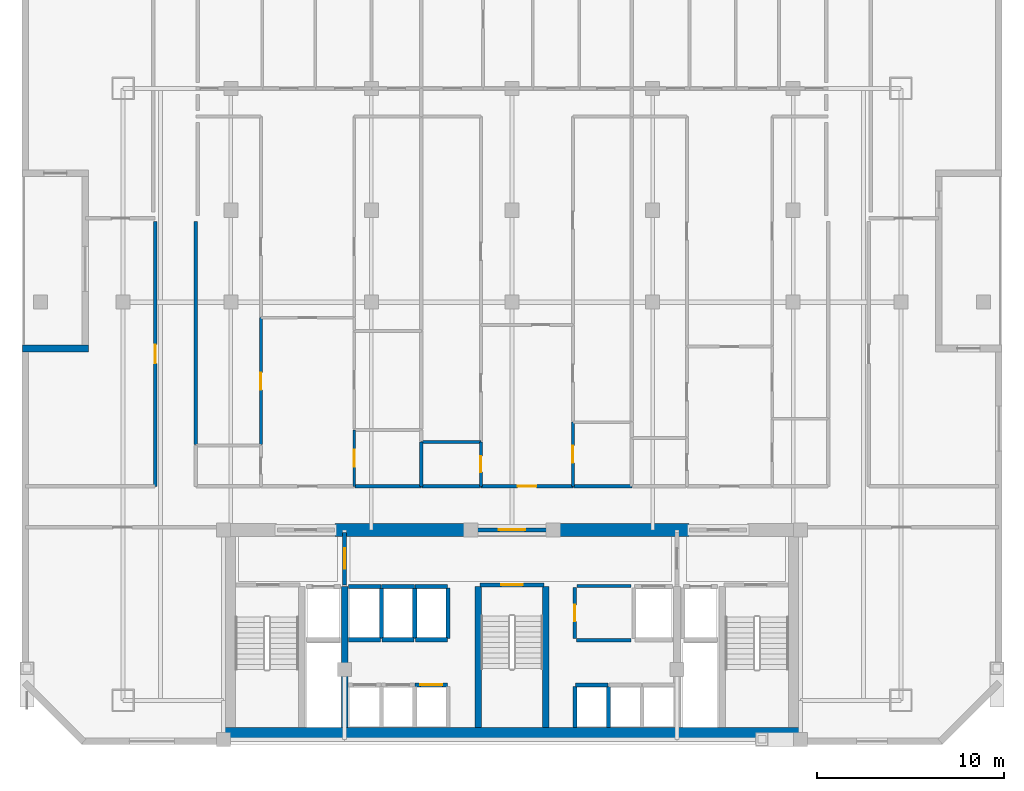
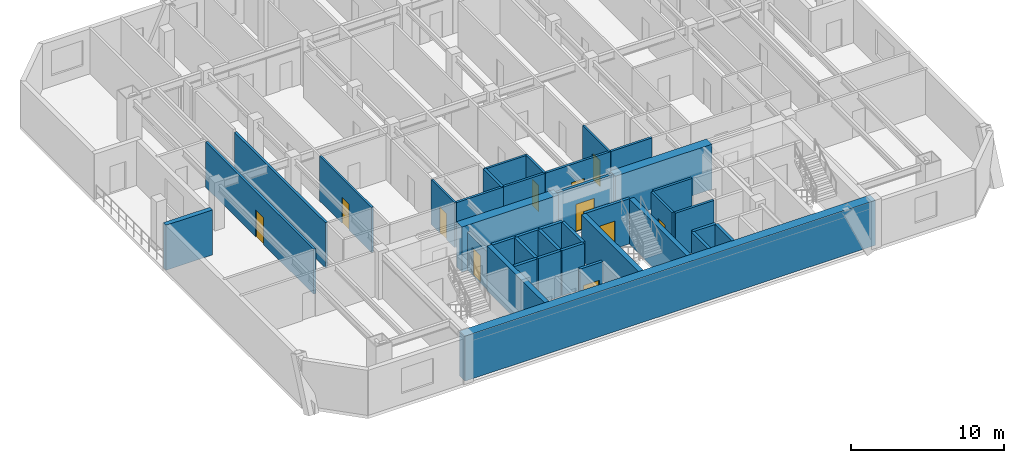
# One storey, part 3 of 10: 38 walls, 11 doors, 11 openings.
"""IFC4 building model written with IfcOpenShell, lengths in metres."""

from ifc_helpers import new_model, si_unit, direction, frame, frame_2d, origin, place, context, subcontext, project, spatial, rectangle, extrude, material, layer, layer_set, type_object, element, fill, save


model = new_model("IFC4")

# Units and contexts
model_context = context("Model", 3, precision=1e-05, world=origin(), true_north=direction((0.0, 1.0)))
body_context = subcontext(model_context, "Body", "Model", "MODEL_VIEW")
ifc_project = project(units=[si_unit("LENGTHUNIT", "METRE"), si_unit("AREAUNIT", "SQUARE_METRE"), si_unit("VOLUMEUNIT", "CUBIC_METRE"), si_unit("PLANEANGLEUNIT", "RADIAN"), si_unit("MASSUNIT", "GRAM", prefix="KILO")], contexts=[model_context])

# Site, building, storey
site_placement = place(None, origin())
site = spatial("IfcSite", under=ifc_project, at=site_placement, CompositionType="ELEMENT")
building_placement = place(site_placement, origin())
building = spatial("IfcBuilding", under=site, at=building_placement, Name="Ventersveld Concourse Tower", CompositionType="ELEMENT")
storey_placement = place(building_placement, frame((0.0, 0.0, 123.39990234375)))
storey = spatial("IfcBuildingStorey", under=building, at=storey_placement, Name="L30", CompositionType="ELEMENT", Elevation=123.39990234375)

# Walls
ifc_material_1 = material(Name="Concrete C60/75", Category="concrete")
ifc_layer_1 = layer(ifc_material_1, 0.35009765625)
ifc_layer_set_1 = layer_set([ifc_layer_1], Name="Concrete C60/75")
wall_type_1 = type_object("IfcWallType", Name="WL-CORE-350L", PredefinedType="SHEAR", material=ifc_layer_set_1)
for number, where, z_axis, x_axis, name in (
    (1, (19.820068359375, 0.919921875, 0.0), (0.0, 0.0, 1.0), (0.0, 1.0, 0.0), "L30 Core Internal Shear Web W-FF1-E"),
    (2, (26.93994140625, 0.919921875, 0.0), (0.0, 0.0, 1.0), (0.0, 1.0, 0.0), "L30 Core Internal Shear Web W-ST3-W"),
    (3, (30.56005859375, 0.919921875, 0.0), (0.0, 0.0, 1.0), (0.0, 1.0, 0.0), "L30 Core Internal Shear Web W-ST3-E"),
):
    element("IfcWall", number, at=place(storey_placement, frame(where, z_axis=z_axis, x_axis=x_axis)), inside=storey, type_object=wall_type_1, Name=name, PredefinedType="SHEAR", context=body_context, shape_type="SweptSolid", body=[
        extrude(rectangle(XDim=7.5, YDim=0.35009765625, at=frame_2d((3.75, 0.0))), origin(), (0.0, 0.0, 1.0), 3.60009765625),
    ])
ifc_layer_2 = layer(ifc_material_1, 0.699951171875)
ifc_layer_set_2 = layer_set([ifc_layer_2], Name="Concrete C60/75")
wall_type_2 = type_object("IfcWallType", Name="WL-CORE-700", PredefinedType="SHEAR", material=ifc_layer_set_2)
wall_1_placement = place(storey_placement, frame((13.25, 0.570068359375, 0.0), z_axis=(0.0, 0.0, 1.0), x_axis=(1.0, 0.0, 0.0)))
element("IfcWall", 4, at=wall_1_placement, inside=storey, type_object=wall_type_2, Name="L30 Rear Core South Shear Wall", PredefinedType="SHEAR", context=body_context, shape_type="SweptSolid", body=[
    extrude(rectangle(XDim=31.0, YDim=0.699951171875, at=frame_2d((15.5, 0.0))), origin(), (0.0, 0.0, 1.0), 3.60009765625),
])
for number, where, z_axis, x_axis, name in (
    (5, (19.300048828125, 11.449951171875, 0.0), (0.0, 0.0, 1.0), (1.0, 0.0, 0.0), "L30 Rear Core North Shear Wall NML"),
    (6, (30.89990234375, 11.449951171875, 0.0), (0.0, 0.0, 1.0), (1.0, 0.0, 0.0), "L30 Rear Core North Shear Wall NMR"),
):
    element("IfcWall", number, at=place(storey_placement, frame(where, z_axis=z_axis, x_axis=x_axis)), inside=storey, type_object=wall_type_2, Name=name, PredefinedType="SHEAR", context=body_context, shape_type="SweptSolid", body=[
        extrude(rectangle(XDim=7.300048828125, YDim=0.699951171875, at=frame_2d((3.64990234375, 0.0))), origin(), (0.0, 0.0, 1.0), 3.60009765625),
    ])

# Wall, opening, door
ifc_material_2 = material(Name="Fire-rated autoclaved aerated masonry blockwork", Category="masonry")
ifc_layer_3 = layer(ifc_material_2, 0.179931640625)
ifc_layer_set_3 = layer_set([ifc_layer_3], Name="Fire-rated autoclaved aerated masonry blockwork")
wall_type_3 = type_object("IfcWallType", Name="WL-CORR-180", PredefinedType="PARTITIONING", material=ifc_layer_set_3)
wall_2_placement = place(storey_placement, frame((32.10009765625, 5.64990234375, 0.0), z_axis=(0.0, 0.0, 1.0), x_axis=(0.0, 1.0, 0.0)))
wall_2 = element("IfcWall", 7, at=wall_2_placement, inside=storey, type_object=wall_type_3, Name="L30 Core Passage Wall SP-L30-CBAY1", PredefinedType="PARTITIONING", context=body_context, shape_type="SweptSolid", body=[
    extrude(rectangle(XDim=2.72998046875, YDim=0.179931640625, at=frame_2d((1.364990234375, 0.0))), origin(), (0.0, 0.0, 1.0), 3.60009765625),
])
opening_1_placement = place(wall_2_placement, frame((0.925048828125, 0.0, 0.0)))
opening_1 = element("IfcOpeningElement", 8, at=opening_1_placement, cuts=wall_2, Name="Opening FD5", PredefinedType="OPENING", context=body_context, shape_type="SweptSolid", body=[
    extrude(rectangle(XDim=0.8798828125, YDim=2.050048828125, at=frame_2d((0.43994140625, 1.02490234375))), frame((0.0, 0.10009765625, 0.0), z_axis=(0.0, -1.0, 0.0), x_axis=(1.0, 0.0, 0.0)), (0.0, 0.0, 1.0), 0.199951171875),
])
ifc_material_3 = material(Name="Galvanised painted steel", Category="steel")
door_type_1 = type_object("IfcDoorType", Name="DR-RISER-088", OperationType="NOTDEFINED", PredefinedType="DOOR", material=ifc_material_3)
door_1_placement = place(opening_1_placement, origin())
door_1 = element("IfcDoor", 9, at=door_1_placement, inside=storey, type_object=door_type_1, Name="L30 Core Room Door L30 Core Housekeeping Linen Store (CD-L30-1490)", OperationType="SINGLE_SWING_LEFT", OverallHeight=2.050048828125, OverallWidth=0.8798828125, PredefinedType="DOOR", context=body_context, shape_type="SweptSolid", body=[
    extrude(rectangle(XDim=0.8798828125, YDim=2.050048828125, at=frame_2d((0.43994140625, 1.02490234375))), frame((0.0, 0.02490234375, 0.0), z_axis=(0.0, -1.0, 0.0), x_axis=(1.0, 0.0, 0.0)), (0.0, 0.0, 1.0), 0.050048828125),
])
fill(opening_1, door_1)

# Walls
wall_3_placement = place(storey_placement, frame((32.219970703125, 8.4599609375, 0.0), z_axis=(0.0, 0.0, 1.0), x_axis=(1.0, 0.0, 0.0)))
element("IfcWall", 10, at=wall_3_placement, inside=storey, type_object=wall_type_3, Name="L30 Core Top Wall SP-L30-CBAY1", PredefinedType="PARTITIONING", context=body_context, shape_type="SweptSolid", body=[
    extrude(rectangle(XDim=2.880126953125, YDim=0.179931640625, at=frame_2d((1.43994140625, 0.0))), origin(), (0.0, 0.0, 1.0), 3.60009765625),
])
wall_4_placement = place(storey_placement, frame((32.179931640625, 5.570068359375, 0.0), z_axis=(0.0, 0.0, 1.0), x_axis=(1.0, 0.0, 0.0)))
element("IfcWall", 11, at=wall_4_placement, inside=storey, type_object=wall_type_3, Name="L30 Core Bot Wall SP-L30-CBAY1", PredefinedType="PARTITIONING", context=body_context, shape_type="SweptSolid", body=[
    extrude(rectangle(XDim=2.920166015625, YDim=0.179931640625, at=frame_2d((1.4599609375, 0.0))), origin(), (0.0, 0.0, 1.0), 3.60009765625),
])

# Wall, opening, door
wall_5_placement = place(storey_placement, frame((9.7099609375, 13.764892578125, 0.0), z_axis=(0.0, 0.0, 1.0), x_axis=(0.0, 1.0, 0.0)))
wall_5 = element("IfcWall", 12, at=wall_5_placement, inside=storey, type_object=wall_type_3, Name="L30 Interior Partition SP-L30-COR-SP-L30-NWLNG1", PredefinedType="PARTITIONING", context=body_context, shape_type="SweptSolid", body=[
    extrude(rectangle(XDim=14.130126953125, YDim=0.179931640625, at=frame_2d((7.06494140625, 0.0))), origin(), (0.0, 0.0, 1.0), 3.60009765625),
])
opening_2_placement = place(wall_5_placement, frame((6.56494140625, 0.0, 0.0)))
opening_2 = element("IfcOpeningElement", 13, at=opening_2_placement, cuts=wall_5, Name="Opening FD3", PredefinedType="OPENING", context=body_context, shape_type="SweptSolid", body=[
    extrude(rectangle(XDim=1.0, YDim=2.14990234375, at=frame_2d((0.5, 1.074951171875))), frame((0.0, 0.10009765625, 0.0), z_axis=(0.0, -1.0, 0.0), x_axis=(1.0, 0.0, 0.0)), (0.0, 0.0, 1.0), 0.199951171875),
])
ifc_material_4 = material(Name="Solid-core hardwood veneer timber", Category="wood")
door_type_2 = type_object("IfcDoorType", Name="DR-FLAT-100", OperationType="NOTDEFINED", PredefinedType="DOOR", material=ifc_material_4)
door_2_placement = place(opening_2_placement, origin())
door_2 = element("IfcDoor", 14, at=door_2_placement, inside=storey, type_object=door_type_2, Name="L30 Interior Door SP-L30-COR to SP-L30-NWLNG1 (D-L30-1493)", OperationType="SINGLE_SWING_LEFT", OverallHeight=2.14990234375, OverallWidth=1.0, PredefinedType="DOOR", context=body_context, shape_type="SweptSolid", body=[
    extrude(rectangle(XDim=1.0, YDim=2.14990234375, at=frame_2d((0.5, 1.074951171875))), frame((0.0, 0.02490234375, 0.0), z_axis=(0.0, -1.0, 0.0), x_axis=(1.0, 0.0, 0.0)), (0.0, 0.0, 1.0), 0.050048828125),
])
fill(opening_2, door_2)

# Walls
wall_6_placement = place(storey_placement, frame((11.889892578125, 15.992431640625, 0.0), z_axis=(0.0, 0.0, 1.0), x_axis=(0.0, 1.0, 0.0)))
element("IfcWall", 15, at=wall_6_placement, inside=storey, type_object=wall_type_3, Name="L30 Interior Partition SP-L30-COR-SP-L30-30N1-OFFL0", PredefinedType="PARTITIONING", context=body_context, shape_type="SweptSolid", body=[
    extrude(rectangle(XDim=11.902587890625, YDim=0.179931640625, at=frame_2d((5.951171875, 0.0))), origin(), (0.0, 0.0, 1.0), 3.60009765625),
])
wall_7_placement = place(storey_placement, frame((20.372802734375, 13.77001953125, 0.0), z_axis=(0.0, 0.0, 1.0), x_axis=(1.0, 0.0, 0.0)))
element("IfcWall", 16, at=wall_7_placement, inside=storey, type_object=wall_type_3, Name="L30 Interior Partition SP-L30-COR-SP-L30-30N1-KIT", PredefinedType="PARTITIONING", context=body_context, shape_type="SweptSolid", body=[
    extrude(rectangle(XDim=3.536376953125, YDim=0.179931640625, at=frame_2d((1.76806640625, 0.0))), origin(), (0.0, 0.0, 1.0), 3.60009765625),
])

# Wall, opening, door
wall_8_placement = place(storey_placement, frame((27.08837890625, 13.77001953125, 0.0), z_axis=(0.0, 0.0, 1.0), x_axis=(1.0, 0.0, 0.0)))
wall_8 = element("IfcWall", 17, at=wall_8_placement, inside=storey, type_object=wall_type_3, Name="L30 Interior Partition SP-L30-COR-SP-L30-30N2-FOY", PredefinedType="PARTITIONING", context=body_context, shape_type="SweptSolid", body=[
    extrude(rectangle(XDim=4.917724609375, YDim=0.179931640625, at=frame_2d((2.458984375, 0.0))), origin(), (0.0, 0.0, 1.0), 3.60009765625),
])
opening_3_placement = place(wall_8_placement, frame((1.958740234375, 0.0, 0.0)))
opening_3 = element("IfcOpeningElement", 18, at=opening_3_placement, cuts=wall_8, Name="Opening FD3", PredefinedType="OPENING", context=body_context, shape_type="SweptSolid", body=[
    extrude(rectangle(XDim=1.0, YDim=2.14990234375, at=frame_2d((0.5, 1.074951171875))), frame((0.0, 0.10009765625, 0.0), z_axis=(0.0, -1.0, 0.0), x_axis=(1.0, 0.0, 0.0)), (0.0, 0.0, 1.0), 0.199951171875),
])
door_3_placement = place(opening_3_placement, origin())
door_3 = element("IfcDoor", 19, at=door_3_placement, inside=storey, type_object=door_type_2, Name="L30 Interior Door SP-L30-COR to SP-L30-30N2-FOY (FD-L30-1496)", OperationType="SINGLE_SWING_RIGHT", OverallHeight=2.14990234375, OverallWidth=1.0, PredefinedType="DOOR", context=body_context, shape_type="SweptSolid", body=[
    extrude(rectangle(XDim=1.0, YDim=2.14990234375, at=frame_2d((0.5, 1.074951171875))), frame((0.0, 0.02490234375, 0.0), z_axis=(0.0, -1.0, 0.0), x_axis=(1.0, 0.0, 0.0)), (0.0, 0.0, 1.0), 0.050048828125),
])
fill(opening_3, door_3)

# Walls
wall_9_placement = place(storey_placement, frame((23.939208984375, 13.77001953125, 0.0), z_axis=(0.0, 0.0, 1.0), x_axis=(1.0, 0.0, 0.0)))
element("IfcWall", 20, at=wall_9_placement, inside=storey, type_object=wall_type_3, Name="L30 Interior Partition SP-L30-COR-SP-L30-30N2-BATH", PredefinedType="PARTITIONING", context=body_context, shape_type="SweptSolid", body=[
    extrude(rectangle(XDim=3.119140625, YDim=0.179931640625, at=frame_2d((1.5595703125, 0.0))), origin(), (0.0, 0.0, 1.0), 3.60009765625),
])
wall_10_placement = place(storey_placement, frame((32.035888671875, 13.77001953125, 0.0), z_axis=(0.0, 0.0, 1.0), x_axis=(1.0, 0.0, 0.0)))
element("IfcWall", 21, at=wall_10_placement, inside=storey, type_object=wall_type_3, Name="L30 Interior Partition SP-L30-COR-SP-L30-30N2-KIT", PredefinedType="PARTITIONING", context=body_context, shape_type="SweptSolid", body=[
    extrude(rectangle(XDim=3.11328125, YDim=0.179931640625, at=frame_2d((1.556640625, 0.0))), origin(), (0.0, 0.0, 1.0), 3.60009765625),
])
ifc_layer_4 = layer(ifc_material_2, 0.199951171875)
ifc_layer_set_4 = layer_set([ifc_layer_4], Name="Fire-rated autoclaved aerated masonry blockwork")
wall_type_4 = type_object("IfcWallType", Name="WL-DEMISE-200", PredefinedType="PARTITIONING", material=ifc_layer_set_4)
wall_11_placement = place(storey_placement, frame((23.904296875, 13.764892578125, 0.0), z_axis=(0.0, 0.0, 1.0), x_axis=(0.0, 1.0, 0.0)))
element("IfcWall", 22, at=wall_11_placement, inside=storey, type_object=wall_type_4, Name="L30 Interior Partition SP-L30-30N1-KIT-SP-L30-30N2-BATH", PredefinedType="PARTITIONING", context=body_context, shape_type="SweptSolid", body=[
    extrude(rectangle(XDim=2.38330078125, YDim=0.199951171875, at=frame_2d((1.191650390625, 0.0))), origin(), (0.0, 0.0, 1.0), 3.60009765625),
])

# Wall, opening, door
ifc_layer_5 = layer(ifc_material_2, 0.219970703125)
ifc_layer_set_5 = layer_set([ifc_layer_5], Name="Fire-rated autoclaved aerated masonry blockwork")
wall_type_5 = type_object("IfcWallType", Name="WL-HOIST-220", PredefinedType="SOLIDWALL", material=ifc_layer_set_5)
wall_12_placement = place(storey_placement, frame((23.580078125, 3.179931640625, 0.0), z_axis=(0.0, 0.0, 1.0), x_axis=(1.0, 0.0, 0.0)))
wall_12 = element("IfcWall", 23, at=wall_12_placement, inside=storey, type_object=wall_type_5, Name="L30 Lift Hoistway Front Wall PL-03", PredefinedType="SOLIDWALL", context=body_context, shape_type="SweptSolid", body=[
    extrude(rectangle(XDim=1.739990234375, YDim=0.219970703125, at=frame_2d((0.8701171875, 0.0))), origin(), (0.0, 0.0, 1.0), 3.60009765625),
])
opening_4_placement = place(wall_12_placement, frame((0.280029296875, 0.0, 0.0)))
opening_4 = element("IfcOpeningElement", 24, at=opening_4_placement, cuts=wall_12, Name="Opening LD2", PredefinedType="OPENING", context=body_context, shape_type="SweptSolid", body=[
    extrude(rectangle(XDim=1.179931640625, YDim=2.199951171875, at=frame_2d((0.58984375, 1.10009765625))), frame((0.0, 0.1201171875, 0.0), z_axis=(0.0, -1.0, 0.0), x_axis=(1.0, 0.0, 0.0)), (0.0, 0.0, 1.0), 0.239990234375),
])
ifc_material_5 = material(Name="Brushed stainless steel 316", Category="steel")
door_type_3 = type_object("IfcDoorType", Name="LD-PAX-118", OperationType="SLIDING_TO_LEFT", PredefinedType="DOOR", material=ifc_material_5)
door_4_placement = place(opening_4_placement, origin())
door_4 = element("IfcDoor", 25, at=door_4_placement, inside=storey, type_object=door_type_3, Name="L30 Lift landing door PL-03 (LD-L30-PL-03)", OperationType="SLIDING_TO_RIGHT", OverallHeight=2.199951171875, OverallWidth=1.179931640625, PredefinedType="DOOR", context=body_context, shape_type="SweptSolid", body=[
    extrude(rectangle(XDim=1.179931640625, YDim=2.199951171875, at=frame_2d((0.58984375, 1.10009765625))), frame((0.0, 0.02490234375, 0.0), z_axis=(0.0, -1.0, 0.0), x_axis=(1.0, 0.0, 0.0)), (0.0, 0.0, 1.0), 0.050048828125),
])
fill(opening_4, door_4)

# Walls
for number, where, z_axis, x_axis, name in (
    (26, (32.1201171875, 0.89990234375, 0.0), (0.0, 0.0, 1.0), (0.0, 1.0, 0.0), "L30 Lift Hoistway Side Wall PM-01W"),
    (27, (33.89990234375, 0.89990234375, 0.0), (0.0, 0.0, 1.0), (0.0, 1.0, 0.0), "L30 Lift Hoistway Side Wall PM-01E"),
):
    element("IfcWall", number, at=place(storey_placement, frame(where, z_axis=z_axis, x_axis=x_axis)), inside=storey, type_object=wall_type_5, Name=name, PredefinedType="SOLIDWALL", context=body_context, shape_type="SweptSolid", body=[
        extrude(rectangle(XDim=2.2001953125, YDim=0.219970703125, at=frame_2d((1.10009765625, 0.0))), origin(), (0.0, 0.0, 1.0), 3.60009765625),
    ])
wall_13_placement = place(storey_placement, frame((32.139892578125, 3.179931640625, 0.0), z_axis=(0.0, 0.0, 1.0), x_axis=(1.0, 0.0, 0.0)))
element("IfcWall", 28, at=wall_13_placement, inside=storey, type_object=wall_type_5, Name="L30 Lift Hoistway Front Wall PM-01", PredefinedType="SOLIDWALL", context=body_context, shape_type="SweptSolid", body=[
    extrude(rectangle(XDim=1.739990234375, YDim=0.219970703125, at=frame_2d((0.8701171875, 0.0))), origin(), (0.0, 0.0, 1.0), 3.60009765625),
])
wall_14_placement = place(storey_placement, frame((20.0400390625, 5.590087890625, 0.0), z_axis=(0.0, 0.0, 1.0), x_axis=(1.0, 0.0, 0.0)))
element("IfcWall", 29, at=wall_14_placement, inside=storey, type_object=wall_type_5, Name="L30 Lift Hoistway Back Wall PH-01", PredefinedType="SOLIDWALL", context=body_context, shape_type="SweptSolid", body=[
    extrude(rectangle(XDim=1.699951171875, YDim=0.219970703125, at=frame_2d((0.85009765625, 0.0))), origin(), (0.0, 0.0, 1.0), 3.60009765625),
])
wall_15_placement = place(storey_placement, frame((21.780029296875, 5.64990234375, 0.0), z_axis=(0.0, 0.0, 1.0), x_axis=(0.0, 1.0, 0.0)))
element("IfcWall", 30, at=wall_15_placement, inside=storey, type_object=wall_type_5, Name="L30 Lift Hoistway Side Wall PH-01E", PredefinedType="SOLIDWALL", context=body_context, shape_type="SweptSolid", body=[
    extrude(rectangle(XDim=2.7001953125, YDim=0.219970703125, at=frame_2d((1.35009765625, 0.0))), origin(), (0.0, 0.0, 1.0), 3.60009765625),
])
wall_16_placement = place(storey_placement, frame((20.02001953125, 8.429931640625, 0.0), z_axis=(0.0, 0.0, 1.0), x_axis=(1.0, 0.0, 0.0)))
element("IfcWall", 31, at=wall_16_placement, inside=storey, type_object=wall_type_5, Name="L30 Lift Hoistway Front Wall PH-01", PredefinedType="SOLIDWALL", context=body_context, shape_type="SweptSolid", body=[
    extrude(rectangle(XDim=1.739990234375, YDim=0.219970703125, at=frame_2d((0.8701171875, 0.0))), origin(), (0.0, 0.0, 1.0), 3.60009765625),
])
wall_17_placement = place(storey_placement, frame((21.820068359375, 5.590087890625, 0.0), z_axis=(0.0, 0.0, 1.0), x_axis=(1.0, 0.0, 0.0)))
element("IfcWall", 32, at=wall_17_placement, inside=storey, type_object=wall_type_5, Name="L30 Lift Hoistway Back Wall PH-02", PredefinedType="SOLIDWALL", context=body_context, shape_type="SweptSolid", body=[
    extrude(rectangle(XDim=1.699951171875, YDim=0.219970703125, at=frame_2d((0.85009765625, 0.0))), origin(), (0.0, 0.0, 1.0), 3.60009765625),
])
wall_18_placement = place(storey_placement, frame((23.56005859375, 5.64990234375, 0.0), z_axis=(0.0, 0.0, 1.0), x_axis=(0.0, 1.0, 0.0)))
element("IfcWall", 33, at=wall_18_placement, inside=storey, type_object=wall_type_5, Name="L30 Lift Hoistway Side Wall PH-02E", PredefinedType="SOLIDWALL", context=body_context, shape_type="SweptSolid", body=[
    extrude(rectangle(XDim=2.7001953125, YDim=0.219970703125, at=frame_2d((1.35009765625, 0.0))), origin(), (0.0, 0.0, 1.0), 3.60009765625),
])
wall_19_placement = place(storey_placement, frame((21.800048828125, 8.429931640625, 0.0), z_axis=(0.0, 0.0, 1.0), x_axis=(1.0, 0.0, 0.0)))
element("IfcWall", 34, at=wall_19_placement, inside=storey, type_object=wall_type_5, Name="L30 Lift Hoistway Front Wall PH-02", PredefinedType="SOLIDWALL", context=body_context, shape_type="SweptSolid", body=[
    extrude(rectangle(XDim=1.739990234375, YDim=0.219970703125, at=frame_2d((0.8701171875, 0.0))), origin(), (0.0, 0.0, 1.0), 3.60009765625),
])
wall_20_placement = place(storey_placement, frame((23.60009765625, 5.590087890625, 0.0), z_axis=(0.0, 0.0, 1.0), x_axis=(1.0, 0.0, 0.0)))
element("IfcWall", 35, at=wall_20_placement, inside=storey, type_object=wall_type_5, Name="L30 Lift Hoistway Back Wall PH-03", PredefinedType="SOLIDWALL", context=body_context, shape_type="SweptSolid", body=[
    extrude(rectangle(XDim=1.699951171875, YDim=0.219970703125, at=frame_2d((0.85009765625, 0.0))), origin(), (0.0, 0.0, 1.0), 3.60009765625),
])
wall_21_placement = place(storey_placement, frame((25.340087890625, 5.64990234375, 0.0), z_axis=(0.0, 0.0, 1.0), x_axis=(0.0, 1.0, 0.0)))
element("IfcWall", 36, at=wall_21_placement, inside=storey, type_object=wall_type_5, Name="L30 Lift Hoistway Side Wall PH-03E", PredefinedType="SOLIDWALL", context=body_context, shape_type="SweptSolid", body=[
    extrude(rectangle(XDim=2.7001953125, YDim=0.219970703125, at=frame_2d((1.35009765625, 0.0))), origin(), (0.0, 0.0, 1.0), 3.60009765625),
])
wall_22_placement = place(storey_placement, frame((23.580078125, 8.429931640625, 0.0), z_axis=(0.0, 0.0, 1.0), x_axis=(1.0, 0.0, 0.0)))
element("IfcWall", 37, at=wall_22_placement, inside=storey, type_object=wall_type_5, Name="L30 Lift Hoistway Front Wall PH-03", PredefinedType="SOLIDWALL", context=body_context, shape_type="SweptSolid", body=[
    extrude(rectangle(XDim=1.739990234375, YDim=0.219970703125, at=frame_2d((0.8701171875, 0.0))), origin(), (0.0, 0.0, 1.0), 3.60009765625),
])

# Wall, opening, door
wall_23_placement = place(storey_placement, frame((27.0400390625, 8.52001953125, 0.0), z_axis=(0.0, 0.0, 1.0), x_axis=(1.0, 0.0, 0.0)))
wall_23 = element("IfcWall", 38, at=wall_23_placement, inside=storey, type_object=wall_type_5, Name="L30 Escape Stair ST03 Fire Wall", PredefinedType="SOLIDWALL", context=body_context, shape_type="SweptSolid", body=[
    extrude(rectangle(XDim=3.419921875, YDim=0.219970703125, at=frame_2d((1.7099609375, 0.0))), origin(), (0.0, 0.0, 1.0), 3.60009765625),
])
opening_5_placement = place(wall_23_placement, frame((1.135009765625, 0.0, 0.0)))
opening_5 = element("IfcOpeningElement", 39, at=opening_5_placement, cuts=wall_23, Name="Opening FD1", PredefinedType="OPENING", context=body_context, shape_type="SweptSolid", body=[
    extrude(rectangle(XDim=1.14990234375, YDim=2.199951171875, at=frame_2d((0.574951171875, 1.10009765625))), frame((0.0, 0.1201171875, 0.0), z_axis=(0.0, -1.0, 0.0), x_axis=(1.0, 0.0, 0.0)), (0.0, 0.0, 1.0), 0.239990234375),
])
door_type_4 = type_object("IfcDoorType", Name="DR-STAIR-115", OperationType="NOTDEFINED", PredefinedType="DOOR", material=ifc_material_3)
door_5_placement = place(opening_5_placement, origin())
door_5 = element("IfcDoor", 40, at=door_5_placement, inside=storey, type_object=door_type_4, Name="L30 Escape Stair Door ST03 (SD-L30-1484)", OperationType="SINGLE_SWING_LEFT", OverallHeight=2.199951171875, OverallWidth=1.14990234375, PredefinedType="DOOR", context=body_context, shape_type="SweptSolid", body=[
    extrude(rectangle(XDim=1.14990234375, YDim=2.199951171875, at=frame_2d((0.574951171875, 1.10009765625))), frame((0.0, 0.02490234375, 0.0), z_axis=(0.0, -1.0, 0.0), x_axis=(1.0, 0.0, 0.0)), (0.0, 0.0, 1.0), 0.050048828125),
])
fill(opening_5, door_5)

wall_24_placement = place(storey_placement, frame((19.820068359375, 8.52001953125, 0.0), z_axis=(0.0, 0.0, 1.0), x_axis=(0.0, 1.0, 0.0)))
wall_24 = element("IfcWall", 41, at=wall_24_placement, inside=storey, type_object=wall_type_5, Name="L30 Firefighting Lobby Smoke-Stop Wall FFLW-SEP", PredefinedType="SOLIDWALL", context=body_context, shape_type="SweptSolid", body=[
    extrude(rectangle(XDim=2.800048828125, YDim=0.219970703125, at=frame_2d((1.39990234375, 0.0))), origin(), (0.0, 0.0, 1.0), 3.0556640625),
])
opening_6_placement = place(wall_24_placement, frame((0.85009765625, 0.0, 0.0)))
opening_6 = element("IfcOpeningElement", 42, at=opening_6_placement, cuts=wall_24, Name="Opening FD2", PredefinedType="OPENING", context=body_context, shape_type="SweptSolid", body=[
    extrude(rectangle(XDim=1.10009765625, YDim=2.199951171875, at=frame_2d((0.550048828125, 1.10009765625))), frame((0.0, 0.1201171875, 0.0), z_axis=(0.0, -1.0, 0.0), x_axis=(1.0, 0.0, 0.0)), (0.0, 0.0, 1.0), 0.239990234375),
])
door_type_5 = type_object("IfcDoorType", Name="DR-FFL-110", OperationType="NOTDEFINED", PredefinedType="DOOR", material=ifc_material_3)
door_6_placement = place(opening_6_placement, origin())
door_6 = element("IfcDoor", 43, at=door_6_placement, inside=storey, type_object=door_type_5, Name="L30 Firefighting Lobby Door FFLW-SEP (FD-L30-1485)", OperationType="SINGLE_SWING_LEFT", OverallHeight=2.199951171875, OverallWidth=1.10009765625, PredefinedType="DOOR", context=body_context, shape_type="SweptSolid", body=[
    extrude(rectangle(XDim=1.10009765625, YDim=2.199951171875, at=frame_2d((0.550048828125, 1.10009765625))), frame((0.0, 0.02490234375, 0.0), z_axis=(0.0, -1.0, 0.0), x_axis=(1.0, 0.0, 0.0)), (0.0, 0.0, 1.0), 0.050048828125),
])
fill(opening_6, door_6)

wall_25_placement = place(storey_placement, frame((26.6298828125, 11.449951171875, 0.0), z_axis=(0.0, 0.0, 1.0), x_axis=(1.0, 0.0, 0.0)))
wall_25 = element("IfcWall", 44, at=wall_25_placement, inside=storey, type_object=wall_type_5, Name="L30 Core North Fire Portal PLOB-OUT", PredefinedType="SOLIDWALL", context=body_context, shape_type="SweptSolid", body=[
    extrude(rectangle(XDim=4.240234375, YDim=0.219970703125, at=frame_2d((2.1201171875, 0.0))), origin(), (0.0, 0.0, 1.0), 3.60009765625),
])
opening_7_placement = place(wall_25_placement, frame((1.419921875, 0.0, 0.0)))
opening_7 = element("IfcOpeningElement", 45, at=opening_7_placement, cuts=wall_25, Name="Opening FD4", PredefinedType="OPENING", context=body_context, shape_type="SweptSolid", body=[
    extrude(rectangle(XDim=1.39990234375, YDim=2.199951171875, at=frame_2d((0.699951171875, 1.10009765625))), frame((0.0, 0.1201171875, 0.0), z_axis=(0.0, -1.0, 0.0), x_axis=(1.0, 0.0, 0.0)), (0.0, 0.0, 1.0), 0.239990234375),
])
door_type_6 = type_object("IfcDoorType", Name="DR-PLANT-140", OperationType="DOUBLE_DOOR_SINGLE_SWING", PredefinedType="DOOR", material=ifc_material_3)
door_7_placement = place(opening_7_placement, origin())
door_7 = element("IfcDoor", 46, at=door_7_placement, inside=storey, type_object=door_type_6, Name="L30 Core Lobby Fire Door PLOB-OUT (FD-L30-1488)", OperationType="DOUBLE_DOOR_SINGLE_SWING", OverallHeight=2.199951171875, OverallWidth=1.39990234375, PredefinedType="DOOR", context=body_context, shape_type="SweptSolid", body=[
    extrude(rectangle(XDim=1.39990234375, YDim=2.199951171875, at=frame_2d((0.699951171875, 1.10009765625))), frame((0.0, 0.02490234375, 0.0), z_axis=(0.0, -1.0, 0.0), x_axis=(1.0, 0.0, 0.0)), (0.0, 0.0, 1.0), 0.050048828125),
])
fill(opening_7, door_7)

ifc_material_6 = material(Name="Autoclaved aerated masonry blockwork", Category="masonry")
ifc_layer_6 = layer(ifc_material_6, 0.14990234375)
ifc_layer_set_6 = layer_set([ifc_layer_6], Name="Autoclaved aerated masonry blockwork")
wall_type_6 = type_object("IfcWallType", Name="WL-INT-150", PredefinedType="PARTITIONING", material=ifc_layer_set_6)
wall_26_placement = place(storey_placement, frame((15.35791015625, 15.992431640625, 0.0), z_axis=(0.0, 0.0, 1.0), x_axis=(0.0, 1.0, 0.0)))
wall_26 = element("IfcWall", 47, at=wall_26_placement, inside=storey, type_object=wall_type_6, Name="L30 Interior Partition SP-L30-30N1-FOY-SP-L30-30N1-OFFL0", PredefinedType="PARTITIONING", context=body_context, shape_type="SweptSolid", body=[
    extrude(rectangle(XDim=6.7802734375, YDim=0.14990234375, at=frame_2d((3.39013671875, 0.0))), origin(), (0.0, 0.0, 1.0), 3.60009765625),
])
opening_8_placement = place(wall_26_placement, frame((2.93017578125, 0.0, 0.0)))
opening_8 = element("IfcOpeningElement", 48, at=opening_8_placement, cuts=wall_26, Name="Opening ID1", PredefinedType="OPENING", context=body_context, shape_type="SweptSolid", body=[
    extrude(rectangle(XDim=0.919921875, YDim=2.10009765625, at=frame_2d((0.4599609375, 1.050048828125))), frame((0.0, 0.0849609375, 0.0), z_axis=(0.0, -1.0, 0.0), x_axis=(1.0, 0.0, 0.0)), (0.0, 0.0, 1.0), 0.169921875),
])
door_type_7 = type_object("IfcDoorType", Name="DR-ROOM-092", OperationType="NOTDEFINED", PredefinedType="DOOR", material=ifc_material_4)
door_8_placement = place(opening_8_placement, origin())
door_8 = element("IfcDoor", 49, at=door_8_placement, inside=storey, type_object=door_type_7, Name="L30 Interior Door SP-L30-30N1-FOY to SP-L30-30N1-OFFL0 (D-L30-1502)", OperationType="SINGLE_SWING_RIGHT", OverallHeight=2.10009765625, OverallWidth=0.919921875, PredefinedType="DOOR", context=body_context, shape_type="SweptSolid", body=[
    extrude(rectangle(XDim=0.919921875, YDim=2.10009765625, at=frame_2d((0.4599609375, 1.050048828125))), frame((0.0, 0.02490234375, 0.0), z_axis=(0.0, -1.0, 0.0), x_axis=(1.0, 0.0, 0.0)), (0.0, 0.0, 1.0), 0.050048828125),
])
fill(opening_8, door_8)

wall_27_placement = place(storey_placement, frame((20.337890625, 13.764892578125, 0.0), z_axis=(0.0, 0.0, 1.0), x_axis=(0.0, 1.0, 0.0)))
wall_27 = element("IfcWall", 50, at=wall_27_placement, inside=storey, type_object=wall_type_6, Name="L30 Interior Partition SP-L30-30N1-FOY-SP-L30-30N1-KIT", PredefinedType="PARTITIONING", context=body_context, shape_type="SweptSolid", body=[
    extrude(rectangle(XDim=3.025146484375, YDim=0.14990234375, at=frame_2d((1.5126953125, 0.0))), origin(), (0.0, 0.0, 1.0), 3.60009765625),
])
opening_9_placement = place(wall_27_placement, frame((1.052490234375, 0.0, 0.0)))
opening_9 = element("IfcOpeningElement", 51, at=opening_9_placement, cuts=wall_27, Name="Opening ID1", PredefinedType="OPENING", context=body_context, shape_type="SweptSolid", body=[
    extrude(rectangle(XDim=0.919921875, YDim=2.10009765625, at=frame_2d((0.4599609375, 1.050048828125))), frame((0.0, 0.0849609375, 0.0), z_axis=(0.0, -1.0, 0.0), x_axis=(1.0, 0.0, 0.0)), (0.0, 0.0, 1.0), 0.169921875),
])
door_9_placement = place(opening_9_placement, origin())
door_9 = element("IfcDoor", 52, at=door_9_placement, inside=storey, type_object=door_type_7, Name="L30 Interior Door SP-L30-30N1-FOY to SP-L30-30N1-KIT (D-L30-1503)", OperationType="SINGLE_SWING_LEFT", OverallHeight=2.10009765625, OverallWidth=0.919921875, PredefinedType="DOOR", context=body_context, shape_type="SweptSolid", body=[
    extrude(rectangle(XDim=0.919921875, YDim=2.10009765625, at=frame_2d((0.4599609375, 1.050048828125))), frame((0.0, 0.02490234375, 0.0), z_axis=(0.0, -1.0, 0.0), x_axis=(1.0, 0.0, 0.0)), (0.0, 0.0, 1.0), 0.050048828125),
])
fill(opening_9, door_9)

wall_28_placement = place(storey_placement, frame((32.0009765625, 13.764892578125, 0.0), z_axis=(0.0, 0.0, 1.0), x_axis=(0.0, 1.0, 0.0)))
wall_28 = element("IfcWall", 53, at=wall_28_placement, inside=storey, type_object=wall_type_6, Name="L30 Interior Partition SP-L30-30N2-FOY-SP-L30-30N2-KIT", PredefinedType="PARTITIONING", context=body_context, shape_type="SweptSolid", body=[
    extrude(rectangle(XDim=3.4296875, YDim=0.14990234375, at=frame_2d((1.71484375, 0.0))), origin(), (0.0, 0.0, 1.0), 3.60009765625),
])
opening_10_placement = place(wall_28_placement, frame((1.2548828125, 0.0, 0.0)))
opening_10 = element("IfcOpeningElement", 54, at=opening_10_placement, cuts=wall_28, Name="Opening ID1", PredefinedType="OPENING", context=body_context, shape_type="SweptSolid", body=[
    extrude(rectangle(XDim=0.919921875, YDim=2.10009765625, at=frame_2d((0.4599609375, 1.050048828125))), frame((0.0, 0.0849609375, 0.0), z_axis=(0.0, -1.0, 0.0), x_axis=(1.0, 0.0, 0.0)), (0.0, 0.0, 1.0), 0.169921875),
])
door_10_placement = place(opening_10_placement, origin())
door_10 = element("IfcDoor", 55, at=door_10_placement, inside=storey, type_object=door_type_7, Name="L30 Interior Door SP-L30-30N2-FOY to SP-L30-30N2-KIT (D-L30-1514)", OperationType="SINGLE_SWING_RIGHT", OverallHeight=2.10009765625, OverallWidth=0.919921875, PredefinedType="DOOR", context=body_context, shape_type="SweptSolid", body=[
    extrude(rectangle(XDim=0.919921875, YDim=2.10009765625, at=frame_2d((0.4599609375, 1.050048828125))), frame((0.0, 0.02490234375, 0.0), z_axis=(0.0, -1.0, 0.0), x_axis=(1.0, 0.0, 0.0)), (0.0, 0.0, 1.0), 0.050048828125),
])
fill(opening_10, door_10)

# Wall
ifc_material_7 = material(Name="Precast concrete C45/55", Category="concrete")
ifc_layer_7 = layer(ifc_material_7, 0.35009765625)
ifc_layer_set_7 = layer_set([ifc_layer_7], Name="Precast concrete C45/55")
wall_type_7 = type_object("IfcWallType", Name="WL-PREC-350", PredefinedType="SOLIDWALL", material=ifc_layer_set_7)
wall_29_placement = place(storey_placement, frame((6.14990234375, 21.125, 0.0), z_axis=(0.0, 0.0, 1.0), x_axis=(-1.0, 0.0, 0.0)))
element("IfcWall", 56, at=wall_29_placement, inside=storey, type_object=wall_type_7, Name="L30 Highveld Precast Facade Wall E14", PredefinedType="SOLIDWALL", context=body_context, shape_type="SweptSolid", body=[
    extrude(rectangle(XDim=3.510009765625, YDim=0.35009765625, at=frame_2d((1.7548828125, 0.0))), origin(), (0.0, 0.0, 1.0), 3.60009765625),
])

# Wall, opening, door
ifc_layer_8 = layer(ifc_material_6, 0.1650390625)
ifc_layer_set_8 = layer_set([ifc_layer_8], Name="Autoclaved aerated masonry blockwork")
wall_type_8 = type_object("IfcWallType", Name="WL-WET-165", PredefinedType="PLUMBINGWALL", material=ifc_layer_set_8)
wall_30_placement = place(storey_placement, frame((27.093505859375, 13.764892578125, 0.0), z_axis=(0.0, 0.0, 1.0), x_axis=(0.0, 1.0, 0.0)))
wall_30 = element("IfcWall", 57, at=wall_30_placement, inside=storey, type_object=wall_type_8, Name="L30 Interior Partition SP-L30-30N2-FOY-SP-L30-30N2-BATH", PredefinedType="PLUMBINGWALL", context=body_context, shape_type="SweptSolid", body=[
    extrude(rectangle(XDim=2.38330078125, YDim=0.1650390625, at=frame_2d((1.191650390625, 0.0))), origin(), (0.0, 0.0, 1.0), 3.60009765625),
])
opening_11_placement = place(wall_30_placement, frame((0.7666015625, 0.0, 0.0)))
opening_11 = element("IfcOpeningElement", 58, at=opening_11_placement, cuts=wall_30, Name="Opening ID2", PredefinedType="OPENING", context=body_context, shape_type="SweptSolid", body=[
    extrude(rectangle(XDim=0.85009765625, YDim=2.10009765625, at=frame_2d((0.425048828125, 1.050048828125))), frame((0.0, 0.092529296875, 0.0), z_axis=(0.0, -1.0, 0.0), x_axis=(1.0, 0.0, 0.0)), (0.0, 0.0, 1.0), 0.18505859375),
])
door_type_8 = type_object("IfcDoorType", Name="DR-BATH-085", OperationType="NOTDEFINED", PredefinedType="DOOR", material=ifc_material_4)
door_11_placement = place(opening_11_placement, origin())
door_11 = element("IfcDoor", 59, at=door_11_placement, inside=storey, type_object=door_type_8, Name="L30 Interior Door SP-L30-30N2-FOY to SP-L30-30N2-BATH (D-L30-1512)", OperationType="SINGLE_SWING_RIGHT", OverallHeight=2.10009765625, OverallWidth=0.85009765625, PredefinedType="DOOR", context=body_context, shape_type="SweptSolid", body=[
    extrude(rectangle(XDim=0.85009765625, YDim=2.10009765625, at=frame_2d((0.425048828125, 1.050048828125))), frame((0.0, 0.02490234375, 0.0), z_axis=(0.0, -1.0, 0.0), x_axis=(1.0, 0.0, 0.0)), (0.0, 0.0, 1.0), 0.050048828125),
])
fill(opening_11, door_11)

# Wall
wall_31_placement = place(storey_placement, frame((23.899169921875, 16.143310546875, 0.0), z_axis=(0.0, 0.0, 1.0), x_axis=(1.0, 0.0, 0.0)))
element("IfcWall", 60, at=wall_31_placement, inside=storey, type_object=wall_type_8, Name="L30 Interior Partition SP-L30-30N2-BATH-SP-L30-30N2-OFFL0", PredefinedType="PLUMBINGWALL", context=body_context, shape_type="SweptSolid", body=[
    extrude(rectangle(XDim=3.19921875, YDim=0.1650390625, at=frame_2d((1.599609375, 0.0))), origin(), (0.0, 0.0, 1.0), 3.60009765625),
])

save(model, "model.ifc")
